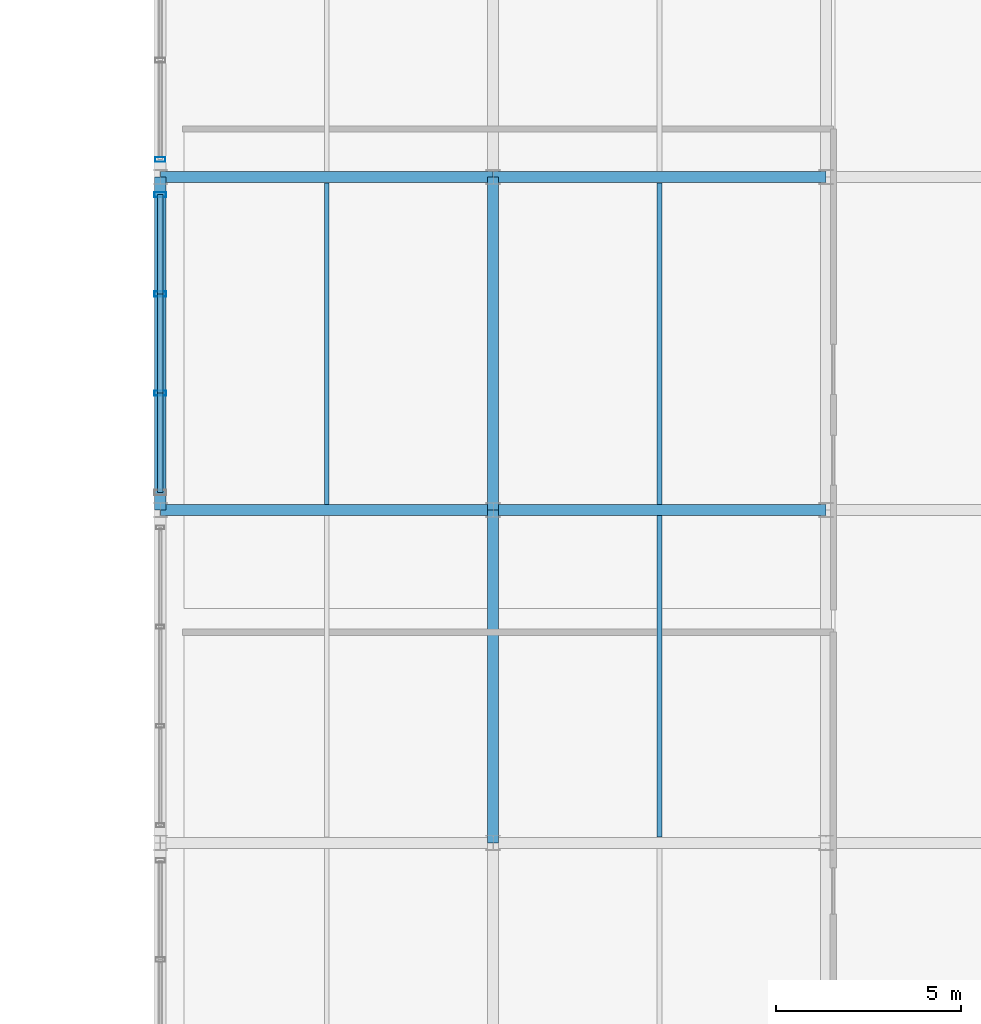
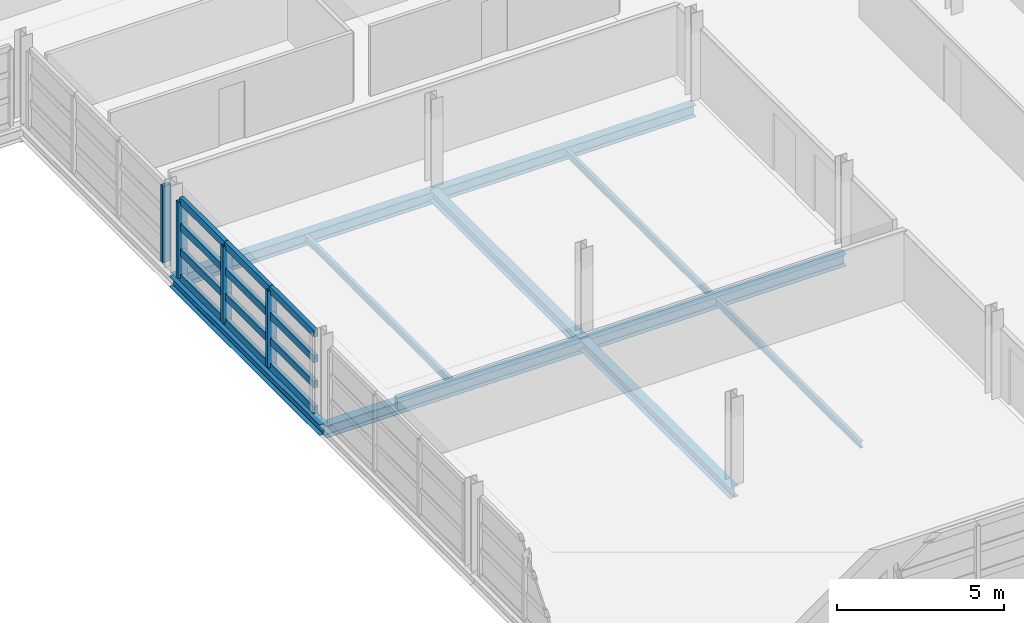
# One storey, part 41 of 86: 16 members, 10 beams, 2 elements without a shape of their own.
"""IFC4 building model written with IfcOpenShell, lengths in metres."""

import ifcopenshell
import ifcopenshell.guid

model = None  # the IFC model being written
_history = None  # IfcOwnerHistory: only IFC2X3 demands one
_inside = {}  # id of a spatial element -> (the spatial element, [elements in it])
_under = {}  # id of a project, library or spatial element -> (it, [spatial elements below it])
_declared = {}  # id of a project -> (the project, [libraries it declares])
_typed = {}  # id of a type object -> (the type object, [elements of that type])
_made_of = {}  # id of a material, layer set ... -> (it, [elements and type objects made of it])


def new_model(schema):
    """Start an empty IFC model of exactly this schema.

    Asked for "IFC4X3", IfcOpenShell would pick the latest addendum, in which some entities
    have other attributes; the version numbers below select the first issue.
    IFC2X3 requires an IfcOwnerHistory on every rooted entity: one is made here for all.
    """
    global model, _history
    if schema == "IFC4X3":
        model = ifcopenshell.file(schema_version=(4, 3, 0, 0))
    else:
        model = ifcopenshell.file(schema=schema)
    _inside.clear()
    _under.clear()
    _declared.clear()
    _typed.clear()
    _made_of.clear()
    _history = None
    if model.schema == "IFC2X3":
        org = make("IfcOrganization", Name="unknown")
        user = make(
            "IfcPersonAndOrganization",
            ThePerson=make("IfcPerson", FamilyName="unknown"),
            TheOrganization=org,
        )
        app = make(
            "IfcApplication",
            ApplicationDeveloper=org,
            Version="unknown",
            ApplicationFullName="unknown",
            ApplicationIdentifier="unknown",
        )
        _history = make(
            "IfcOwnerHistory",
            OwningUser=user,
            OwningApplication=app,
            ChangeAction="ADDED",
            CreationDate=0,
        )
    return model


def make(cls, **values):
    """One entity of the class cls with the attributes given. An attribute that is None is left unset."""
    return model.create_entity(
        cls, **{name: value for name, value in values.items() if value is not None}
    )


def rooted(cls, **values):
    """An entity with a GlobalId (a new one), such as an element, a storey or a relation."""
    return make(cls, GlobalId=ifcopenshell.guid.new(), OwnerHistory=_history, **values)


def si_unit(unit_type, name, prefix=None):
    """IfcSIUnit, for example si_unit("LENGTHUNIT", "METRE", prefix="MILLI")."""
    return make("IfcSIUnit", UnitType=unit_type, Prefix=prefix, Name=name)


def assignment(units):
    """IfcUnitAssignment: the units of a project."""
    return None if units is None else make("IfcUnitAssignment", Units=units)


def point(xyz):
    """IfcCartesianPoint."""
    return None if xyz is None else make("IfcCartesianPoint", Coordinates=xyz)


def direction(xyz):
    """IfcDirection."""
    return None if xyz is None else make("IfcDirection", DirectionRatios=xyz)


def frame(location, z_axis=None, x_axis=None):
    """IfcAxis2Placement3D, a coordinate frame: its origin and axes. An axis left out is left unset."""
    return make(
        "IfcAxis2Placement3D",
        Location=point(location),
        Axis=direction(z_axis),
        RefDirection=direction(x_axis),
    )


def frame_2d(location, x_axis=None):
    """IfcAxis2Placement2D, a coordinate frame in the plane: its origin and x axis."""
    return make(
        "IfcAxis2Placement2D", Location=point(location), RefDirection=direction(x_axis)
    )


def origin():
    """The frame at (0, 0, 0) with its axes left unset."""
    return frame((0.0, 0.0, 0.0))


def origin_2d():
    """The frame at (0, 0) in the plane with its x axis left unset."""
    return frame_2d((0.0, 0.0))


def place(relative_to, where):
    """IfcLocalPlacement: puts the frame where relative to a parent placement (None: the world)."""
    return make(
        "IfcLocalPlacement", PlacementRelTo=relative_to, RelativePlacement=where
    )


def context(
    kind, dimensions, precision=None, world=None, true_north=None, identifier=None
):
    """IfcGeometricRepresentationContext, for example the 3D "Model" context."""
    return make(
        "IfcGeometricRepresentationContext",
        ContextIdentifier=identifier,
        ContextType=kind,
        CoordinateSpaceDimension=dimensions,
        Precision=precision,
        WorldCoordinateSystem=world,
        TrueNorth=true_north,
    )


def subcontext(parent, identifier, kind, view, scale=None):
    """IfcGeometricRepresentationSubContext, for example "Body" below "Model"."""
    return make(
        "IfcGeometricRepresentationSubContext",
        ContextIdentifier=identifier,
        ContextType=kind,
        ParentContext=parent,
        TargetScale=scale,
        TargetView=view,
    )


def project(units=None, contexts=None):
    """IfcProject with its units and contexts."""
    return rooted(
        "IfcProject",
        Name="project",
        RepresentationContexts=contexts,
        UnitsInContext=assignment(units),
    )


def spatial(cls, under=None, at=None, **own):
    """A site, building, storey or space (cls), placed at a placement, below another one or the project."""
    s = rooted(cls, ObjectPlacement=at, **own)
    if under is not None:
        _under.setdefault(under.id(), (under, []))[1].append(s)
    return s


def profile(cls, at=None, kind="AREA", **sizes):
    """A parametric profile (cls). Its sizes go by their IFC names, for example OverallWidth=200.0."""
    return make(cls, ProfileType=kind, Position=at, **sizes)


def hollow_rectangle(**sizes):
    """IfcRectangleHollowProfileDef."""
    return profile("IfcRectangleHollowProfileDef", **sizes)


def i_section(**sizes):
    """IfcIShapeProfileDef."""
    return profile("IfcIShapeProfileDef", **sizes)


def extrude(swept, where, along, depth):
    """IfcExtrudedAreaSolid: the profile swept, set in the frame where, extruded along a direction by depth."""
    return make(
        "IfcExtrudedAreaSolid",
        SweptArea=swept,
        Position=where,
        ExtrudedDirection=direction(along),
        Depth=depth,
    )


def shape(context_of_items, identifier, shape_type, items):
    """IfcShapeRepresentation: the items that make up one representation, for example the "Body"."""
    return make(
        "IfcShapeRepresentation",
        ContextOfItems=context_of_items,
        RepresentationIdentifier=identifier,
        RepresentationType=shape_type,
        Items=items,
    )


def material(Name=None, Category=None):
    """IfcMaterial."""
    return make("IfcMaterial", Name=Name, Category=Category)


def material_profile(
    of_material, cross_section, Name=None, Category=None, Priority=None
):
    """IfcMaterialProfile: a cross section and its material."""
    return make(
        "IfcMaterialProfile",
        Name=Name,
        Material=of_material,
        Profile=cross_section,
        Priority=Priority,
        Category=Category,
    )


def profile_set(profiles, Name=None, composite=None):
    """IfcMaterialProfileSet."""
    return make(
        "IfcMaterialProfileSet",
        Name=Name,
        MaterialProfiles=profiles,
        CompositeProfile=composite,
    )


def made_of(thing, what):
    """Note that an element or type object is made of a material, layer set ...; save() writes the relation."""
    if what is not None:
        _made_of.setdefault(what.id(), (what, []))[1].append(thing)
    return thing


def type_object(cls, material=None, **own):
    """A type object (cls), such as IfcWallType, which elements share."""
    return made_of(rooted(cls, **own), material)


def element(
    cls,
    number,
    at=None,
    inside=None,
    cuts=None,
    type_object=None,
    material=None,
    context=None,
    identifier="Body",
    shape_type=None,
    held_by="IfcProductDefinitionShape",
    body=None,
    shapes=None,
    **own,
):
    """One element of the class cls, such as IfcWall. Its Tag is "e" and its number.

    at: its placement. inside: the storey or other place that contains it. cuts: it is an
    opening in that element (IfcRelVoidsElement). A single representation is given by context,
    identifier, shape_type and body (its items); several are given by shapes. held_by: the class
    of the entity that holds the representations. save() writes the other relations.
    """
    e = rooted(cls, Tag="e%d" % number, ObjectPlacement=at, **own)
    if body is not None:
        shapes = [shape(context, identifier, shape_type, body)]
    if shapes is not None:
        e.Representation = make(held_by, Representations=shapes)
    if inside is not None:
        _inside.setdefault(inside.id(), (inside, []))[1].append(e)
    if cuts is not None:
        rooted(
            "IfcRelVoidsElement", RelatingBuildingElement=cuts, RelatedOpeningElement=e
        )
    if type_object is not None:
        _typed.setdefault(type_object.id(), (type_object, []))[1].append(e)
    return made_of(e, material)


def aggregate(whole, parts):
    """IfcRelAggregates: a whole, such as a stair, and the parts it consists of."""
    return rooted("IfcRelAggregates", RelatingObject=whole, RelatedObjects=parts)


def save(model, path):
    """Write the relations noted so far, then the file.

    IfcRelAggregates (storeys below a building ...), IfcRelContainedInSpatialStructure (elements
    in a storey), IfcRelDefinesByType, IfcRelAssociatesMaterial and IfcRelDeclares: one each for
    every whole, place, type object, material and project.
    """
    for whole, parts in _under.values():
        aggregate(whole, parts)
    for where, things in _inside.values():
        rooted(
            "IfcRelContainedInSpatialStructure",
            RelatedElements=things,
            RelatingStructure=where,
        )
    for kind, things in _typed.values():
        rooted("IfcRelDefinesByType", RelatedObjects=things, RelatingType=kind)
    for what, things in _made_of.values():
        rooted("IfcRelAssociatesMaterial", RelatedObjects=things, RelatingMaterial=what)
    for by, libraries in _declared.values():
        rooted("IfcRelDeclares", RelatingContext=by, RelatedDefinitions=libraries)
    model.write(path)


model = new_model("IFC4")

# Units and contexts
model_context = context("Model", 3, precision=1e-05, world=origin(), true_north=direction((0.0, 1.0)))
body_context = subcontext(model_context, "Body", "Model", "MODEL_VIEW")
ifc_project = project(units=[si_unit("LENGTHUNIT", "METRE"), si_unit("AREAUNIT", "SQUARE_METRE"), si_unit("VOLUMEUNIT", "CUBIC_METRE"), si_unit("PLANEANGLEUNIT", "RADIAN"), si_unit("MASSUNIT", "GRAM", prefix="KILO")], contexts=[model_context])

# Site, building, storey
site_placement = place(None, origin())
site = spatial("IfcSite", under=ifc_project, at=site_placement, CompositionType="ELEMENT")
building_placement = place(site_placement, origin())
building = spatial("IfcBuilding", under=site, at=building_placement, Name="Chuanluo Vaults Station", CompositionType="ELEMENT")
storey_placement = place(building_placement, frame((0.0, 0.0, 14.39990234375)))
storey = spatial("IfcBuildingStorey", under=building, at=storey_placement, Name="L03", CompositionType="ELEMENT", Elevation=14.39990234375)

# Beams
ifc_material_1 = material(Name="Steel Q355C", Category="steel")
ifc_material_profile_1 = material_profile(ifc_material_1, i_section(OverallWidth=0.300048828125, OverallDepth=0.389892578125, WebThickness=0.010009765625, FlangeThickness=0.01611328125, FilletRadius=0.02001953125, at=origin_2d()))
ifc_profile_set_1 = profile_set([ifc_material_profile_1], Name="Steel Q355C")
beam_type_1 = type_object("IfcBeamType", Name="BM-GRD-400", PredefinedType="BEAM", material=ifc_profile_set_1)
for number, where, z_axis, x_axis, name in (
    (1, (145.0, 85.5, -0.414794921875), (0.0, 1.0, 0.0), (-1.0, 0.0, 0.0), "Floor girder BM:GY:L03:0791"),
    (2, (154.0, 76.5, -0.414794921875), (0.0, 1.0, 0.0), (-1.0, 0.0, 0.0), "Floor girder BM:GY:L03:0800"),
    (3, (154.0, 85.5, -0.414794921875), (0.0, 1.0, 0.0), (-1.0, 0.0, 0.0), "Floor girder BM:GY:L03:0801"),
):
    element("IfcBeam", number, at=place(storey_placement, frame(where, z_axis=z_axis, x_axis=x_axis)), inside=storey, type_object=beam_type_1, Name=name, PredefinedType="BEAM", context=body_context, shape_type="SweptSolid", body=[
        extrude(i_section(OverallWidth=0.300048828125, OverallDepth=0.389892578125, WebThickness=0.010009765625, FlangeThickness=0.01611328125, FilletRadius=0.02001953125, at=origin_2d()), origin(), (0.0, 0.0, 1.0), 9.0),
    ])
ifc_material_2 = material(Name="Steel Q355C", Category="steel")
ifc_material_profile_2 = material_profile(ifc_material_2, i_section(OverallWidth=0.300048828125, OverallDepth=0.43994140625, WebThickness=0.010986328125, FlangeThickness=0.01806640625, FilletRadius=0.02001953125, at=origin_2d()))
ifc_profile_set_2 = profile_set([ifc_material_profile_2], Name="Steel Q355C")
beam_type_2 = type_object("IfcBeamType", Name="BM-GRD-450", PredefinedType="USERDEFINED", material=ifc_profile_set_2)
for number, where, z_axis, x_axis, name in (
    (4, (145.0, 85.5, -0.43994140625), (1.0, 0.0, 0.0), (0.0, 1.0, 0.0), "Floor girder BM:GX:L03:0744"),
    (5, (154.0, 85.5, -0.43994140625), (1.0, 0.0, 0.0), (0.0, 1.0, 0.0), "Floor girder BM:GX:L03:0745"),
    (6, (145.0, 94.5, -0.43994140625), (1.0, 0.0, 0.0), (0.0, 1.0, 0.0), "Floor girder BM:GX:L03:0749"),
    (7, (154.0, 94.5, -0.43994140625), (1.0, 0.0, 0.0), (0.0, 1.0, 0.0), "Floor girder BM:GX:L03:0750"),
):
    element("IfcBeam", number, at=place(storey_placement, frame(where, z_axis=z_axis, x_axis=x_axis)), inside=storey, type_object=beam_type_2, Name=name, ObjectType="GIRDER", PredefinedType="USERDEFINED", context=body_context, shape_type="SweptSolid", body=[
        extrude(i_section(OverallWidth=0.300048828125, OverallDepth=0.43994140625, WebThickness=0.010986328125, FlangeThickness=0.01806640625, FilletRadius=0.02001953125, at=origin_2d()), origin(), (0.0, 0.0, 1.0), 9.0),
    ])
ifc_material_3 = material(Name="Steel Q355C", Category="steel")
ifc_material_profile_3 = material_profile(ifc_material_3, i_section(OverallWidth=0.125, OverallDepth=0.25, WebThickness=0.006103515625, FlangeThickness=0.009033203125, FilletRadius=0.011962890625, at=origin_2d()))
ifc_profile_set_3 = profile_set([ifc_material_profile_3], Name="Steel Q355C")
beam_type_3 = type_object("IfcBeamType", Name="BM-SEC-250", PredefinedType="JOIST", material=ifc_profile_set_3)
for number, where, z_axis, x_axis, name in (
    (8, (149.5, 85.655029296875, -0.344970703125), (0.0, 1.0, 0.0), (-1.0, 0.0, 0.0), "Composite secondary joist 0240"),
    (9, (158.5, 76.655029296875, -0.344970703125), (0.0, 1.0, 0.0), (-1.0, 0.0, 0.0), "Composite secondary joist 0246"),
    (10, (158.5, 85.655029296875, -0.344970703125), (0.0, 1.0, 0.0), (-1.0, 0.0, 0.0), "Composite secondary joist 0247"),
):
    element("IfcBeam", number, at=place(storey_placement, frame(where, z_axis=z_axis, x_axis=x_axis)), inside=storey, type_object=beam_type_3, Name=name, PredefinedType="JOIST", context=body_context, shape_type="SweptSolid", body=[
        extrude(i_section(OverallWidth=0.125, OverallDepth=0.25, WebThickness=0.006103515625, FlangeThickness=0.009033203125, FilletRadius=0.011962890625, at=origin_2d()), origin(), (0.0, 0.0, 1.0), 8.68994140625),
    ])

# Curtain wall, member
ifc_material_4 = material(Name="Anodised aluminium 6063-T6", Category="aluminium")
curtain_wall_type_1 = type_object("IfcCurtainWallType", Name="CW-SYS-26", PredefinedType="NOTDEFINED", material=ifc_material_4)
curtain_wall_1_placement = place(storey_placement, origin())
curtain_wall_1 = element("IfcCurtainWall", 11, at=curtain_wall_1_placement, inside=storey, type_object=curtain_wall_type_1, Name="Operations L03 facade CW", PredefinedType="NOTDEFINED")
ifc_material_5 = material(Name="Anodised aluminium 6063-T6", Category="aluminium")
ifc_material_profile_4 = material_profile(ifc_material_5, hollow_rectangle(XDim=0.1298828125, YDim=0.280029296875, WallThickness=0.007080078125, at=origin_2d()))
ifc_profile_set_4 = profile_set([ifc_material_profile_4], Name="Anodised aluminium 6063-T6")
member_type_1 = type_object("IfcMemberType", Name="CWM-180", PredefinedType="MULLION", material=ifc_profile_set_4)
member_1_placement = place(storey_placement, frame((145.0, 94.97509765625, 0.0), z_axis=(0.0, 0.0, 1.0), x_axis=(0.0, 1.0, 0.0)))
member_1 = element("IfcMember", 12, at=member_1_placement, type_object=member_type_1, Name="Operations L03 facade CW mullion 1", PredefinedType="MULLION", context=body_context, shape_type="SweptSolid", body=[
    extrude(hollow_rectangle(XDim=0.1298828125, YDim=0.280029296875, WallThickness=0.007080078125, at=origin_2d()), origin(), (0.0, 0.0, 1.0), 2.800048828125),
])
aggregate(curtain_wall_1, [member_1])

# Curtain wall, members
ifc_material_6 = material(Name="Anodised aluminium 6063-T6", Category="aluminium")
curtain_wall_type_2 = type_object("IfcCurtainWallType", Name="CW-SYS-25", PredefinedType="NOTDEFINED", material=ifc_material_6)
curtain_wall_2_placement = place(storey_placement, origin())
curtain_wall_2 = element("IfcCurtainWall", 13, at=curtain_wall_2_placement, inside=storey, type_object=curtain_wall_type_2, Name="Operations L03 facade CW", PredefinedType="NOTDEFINED")
ifc_material_7 = material(Name="Anodised aluminium 6063-T6", Category="aluminium")
ifc_material_profile_5 = material_profile(ifc_material_7, hollow_rectangle(XDim=0.139892578125, YDim=0.320068359375, WallThickness=0.008056640625, at=origin_2d()))
ifc_profile_set_5 = profile_set([ifc_material_profile_5], Name="Anodised aluminium 6063-T6")
member_type_2 = type_object("IfcMemberType", Name="CWM-220", PredefinedType="MULLION", material=ifc_profile_set_5)
member_2_placement = place(storey_placement, frame((145.0, 88.658203125, 0.0), z_axis=(0.0, 0.0, 1.0), x_axis=(0.0, 1.0, 0.0)))
member_2 = element("IfcMember", 14, at=member_2_placement, type_object=member_type_2, Name="Operations L03 facade CW mullion 2", PredefinedType="MULLION", context=body_context, shape_type="SweptSolid", body=[
    extrude(hollow_rectangle(XDim=0.139892578125, YDim=0.320068359375, WallThickness=0.008056640625, at=origin_2d()), origin(), (0.0, 0.0, 1.0), 2.800048828125),
])
member_3_placement = place(storey_placement, frame((145.0, 91.341796875, 0.0), z_axis=(0.0, 0.0, 1.0), x_axis=(0.0, 1.0, 0.0)))
member_3 = element("IfcMember", 15, at=member_3_placement, type_object=member_type_2, Name="Operations L03 facade CW mullion 3", PredefinedType="MULLION", context=body_context, shape_type="SweptSolid", body=[
    extrude(hollow_rectangle(XDim=0.139892578125, YDim=0.320068359375, WallThickness=0.008056640625, at=origin_2d()), origin(), (0.0, 0.0, 1.0), 2.800048828125),
])
member_4_placement = place(storey_placement, frame((145.0, 94.02490234375, 0.0), z_axis=(0.0, 0.0, 1.0), x_axis=(0.0, 1.0, 0.0)))
member_4 = element("IfcMember", 16, at=member_4_placement, type_object=member_type_2, Name="Operations L03 facade CW mullion 4", PredefinedType="MULLION", context=body_context, shape_type="SweptSolid", body=[
    extrude(hollow_rectangle(XDim=0.139892578125, YDim=0.320068359375, WallThickness=0.008056640625, at=origin_2d()), origin(), (0.0, 0.0, 1.0), 2.800048828125),
])
ifc_material_8 = material(Name="Anodised aluminium 6063-T6", Category="aluminium")
ifc_material_profile_6 = material_profile(ifc_material_8, hollow_rectangle(XDim=0.139892578125, YDim=0.260009765625, WallThickness=0.007080078125, at=origin_2d()))
ifc_profile_set_6 = profile_set([ifc_material_profile_6], Name="Anodised aluminium 6063-T6")
member_type_3 = type_object("IfcMemberType", Name="CWT-180", PredefinedType="USERDEFINED", material=ifc_profile_set_6)
member_5_placement = place(storey_placement, frame((145.0, 85.97509765625, 0.0), z_axis=(0.0, 1.0, 0.0), x_axis=(-1.0, 0.0, 0.0)))
member_5 = element("IfcMember", 17, at=member_5_placement, type_object=member_type_3, Name="Operations L03 facade CW transom 1.1", ObjectType="TRANSOM", PredefinedType="USERDEFINED", context=body_context, shape_type="SweptSolid", body=[
    extrude(hollow_rectangle(XDim=0.139892578125, YDim=0.260009765625, WallThickness=0.007080078125, at=origin_2d()), origin(), (0.0, 0.0, 1.0), 2.68310546875),
])
member_6_placement = place(storey_placement, frame((145.0, 85.97509765625, 0.933349609375), z_axis=(0.0, 1.0, 0.0), x_axis=(-1.0, 0.0, 0.0)))
member_6 = element("IfcMember", 18, at=member_6_placement, type_object=member_type_3, Name="Operations L03 facade CW transom 1.2", ObjectType="TRANSOM", PredefinedType="USERDEFINED", context=body_context, shape_type="SweptSolid", body=[
    extrude(hollow_rectangle(XDim=0.139892578125, YDim=0.260009765625, WallThickness=0.007080078125, at=origin_2d()), origin(), (0.0, 0.0, 1.0), 2.68310546875),
])
member_7_placement = place(storey_placement, frame((145.0, 85.97509765625, 1.86669921875), z_axis=(0.0, 1.0, 0.0), x_axis=(-1.0, 0.0, 0.0)))
member_7 = element("IfcMember", 19, at=member_7_placement, type_object=member_type_3, Name="Operations L03 facade CW transom 1.3", ObjectType="TRANSOM", PredefinedType="USERDEFINED", context=body_context, shape_type="SweptSolid", body=[
    extrude(hollow_rectangle(XDim=0.139892578125, YDim=0.260009765625, WallThickness=0.007080078125, at=origin_2d()), origin(), (0.0, 0.0, 1.0), 2.68310546875),
])
member_8_placement = place(storey_placement, frame((145.0, 85.97509765625, 2.800048828125), z_axis=(0.0, 1.0, 0.0), x_axis=(-1.0, 0.0, 0.0)))
member_8 = element("IfcMember", 20, at=member_8_placement, type_object=member_type_3, Name="Operations L03 facade CW transom 1.4", ObjectType="TRANSOM", PredefinedType="USERDEFINED", context=body_context, shape_type="SweptSolid", body=[
    extrude(hollow_rectangle(XDim=0.139892578125, YDim=0.260009765625, WallThickness=0.007080078125, at=origin_2d()), origin(), (0.0, 0.0, 1.0), 2.68310546875),
])
member_9_placement = place(storey_placement, frame((145.0, 88.658203125, 0.0), z_axis=(0.0, 1.0, 0.0), x_axis=(-1.0, 0.0, 0.0)))
member_9 = element("IfcMember", 21, at=member_9_placement, type_object=member_type_3, Name="Operations L03 facade CW transom 2.1", ObjectType="TRANSOM", PredefinedType="USERDEFINED", context=body_context, shape_type="SweptSolid", body=[
    extrude(hollow_rectangle(XDim=0.139892578125, YDim=0.260009765625, WallThickness=0.007080078125, at=origin_2d()), origin(), (0.0, 0.0, 1.0), 2.68359375),
])
member_10_placement = place(storey_placement, frame((145.0, 88.658203125, 0.933349609375), z_axis=(0.0, 1.0, 0.0), x_axis=(-1.0, 0.0, 0.0)))
member_10 = element("IfcMember", 22, at=member_10_placement, type_object=member_type_3, Name="Operations L03 facade CW transom 2.2", ObjectType="TRANSOM", PredefinedType="USERDEFINED", context=body_context, shape_type="SweptSolid", body=[
    extrude(hollow_rectangle(XDim=0.139892578125, YDim=0.260009765625, WallThickness=0.007080078125, at=origin_2d()), origin(), (0.0, 0.0, 1.0), 2.68359375),
])
member_11_placement = place(storey_placement, frame((145.0, 88.658203125, 1.86669921875), z_axis=(0.0, 1.0, 0.0), x_axis=(-1.0, 0.0, 0.0)))
member_11 = element("IfcMember", 23, at=member_11_placement, type_object=member_type_3, Name="Operations L03 facade CW transom 2.3", ObjectType="TRANSOM", PredefinedType="USERDEFINED", context=body_context, shape_type="SweptSolid", body=[
    extrude(hollow_rectangle(XDim=0.139892578125, YDim=0.260009765625, WallThickness=0.007080078125, at=origin_2d()), origin(), (0.0, 0.0, 1.0), 2.68359375),
])
member_12_placement = place(storey_placement, frame((145.0, 88.658203125, 2.800048828125), z_axis=(0.0, 1.0, 0.0), x_axis=(-1.0, 0.0, 0.0)))
member_12 = element("IfcMember", 24, at=member_12_placement, type_object=member_type_3, Name="Operations L03 facade CW transom 2.4", ObjectType="TRANSOM", PredefinedType="USERDEFINED", context=body_context, shape_type="SweptSolid", body=[
    extrude(hollow_rectangle(XDim=0.139892578125, YDim=0.260009765625, WallThickness=0.007080078125, at=origin_2d()), origin(), (0.0, 0.0, 1.0), 2.68359375),
])
member_13_placement = place(storey_placement, frame((145.0, 91.341796875, 0.0), z_axis=(0.0, 1.0, 0.0), x_axis=(-1.0, 0.0, 0.0)))
member_13 = element("IfcMember", 25, at=member_13_placement, type_object=member_type_3, Name="Operations L03 facade CW transom 3.1", ObjectType="TRANSOM", PredefinedType="USERDEFINED", context=body_context, shape_type="SweptSolid", body=[
    extrude(hollow_rectangle(XDim=0.139892578125, YDim=0.260009765625, WallThickness=0.007080078125, at=origin_2d()), origin(), (0.0, 0.0, 1.0), 2.68310546875),
])
member_14_placement = place(storey_placement, frame((145.0, 91.341796875, 0.933349609375), z_axis=(0.0, 1.0, 0.0), x_axis=(-1.0, 0.0, 0.0)))
member_14 = element("IfcMember", 26, at=member_14_placement, type_object=member_type_3, Name="Operations L03 facade CW transom 3.2", ObjectType="TRANSOM", PredefinedType="USERDEFINED", context=body_context, shape_type="SweptSolid", body=[
    extrude(hollow_rectangle(XDim=0.139892578125, YDim=0.260009765625, WallThickness=0.007080078125, at=origin_2d()), origin(), (0.0, 0.0, 1.0), 2.68310546875),
])
member_15_placement = place(storey_placement, frame((145.0, 91.341796875, 1.86669921875), z_axis=(0.0, 1.0, 0.0), x_axis=(-1.0, 0.0, 0.0)))
member_15 = element("IfcMember", 27, at=member_15_placement, type_object=member_type_3, Name="Operations L03 facade CW transom 3.3", ObjectType="TRANSOM", PredefinedType="USERDEFINED", context=body_context, shape_type="SweptSolid", body=[
    extrude(hollow_rectangle(XDim=0.139892578125, YDim=0.260009765625, WallThickness=0.007080078125, at=origin_2d()), origin(), (0.0, 0.0, 1.0), 2.68310546875),
])
member_16_placement = place(storey_placement, frame((145.0, 91.341796875, 2.800048828125), z_axis=(0.0, 1.0, 0.0), x_axis=(-1.0, 0.0, 0.0)))
member_16 = element("IfcMember", 28, at=member_16_placement, type_object=member_type_3, Name="Operations L03 facade CW transom 3.4", ObjectType="TRANSOM", PredefinedType="USERDEFINED", context=body_context, shape_type="SweptSolid", body=[
    extrude(hollow_rectangle(XDim=0.139892578125, YDim=0.260009765625, WallThickness=0.007080078125, at=origin_2d()), origin(), (0.0, 0.0, 1.0), 2.68310546875),
])
aggregate(curtain_wall_2, [member_2, member_3, member_4, member_5, member_6, member_7, member_8, member_9, member_10, member_11, member_12, member_13, member_14, member_15, member_16])

save(model, "model.ifc")
